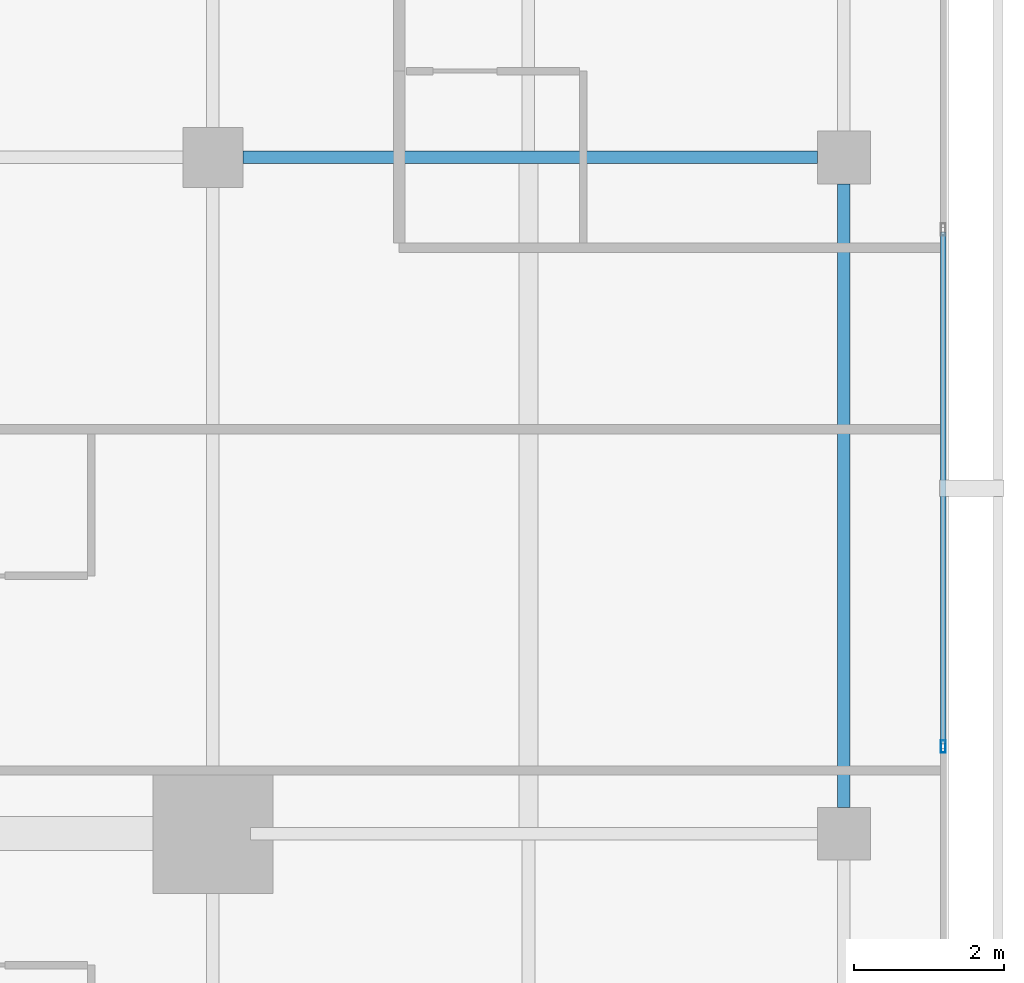
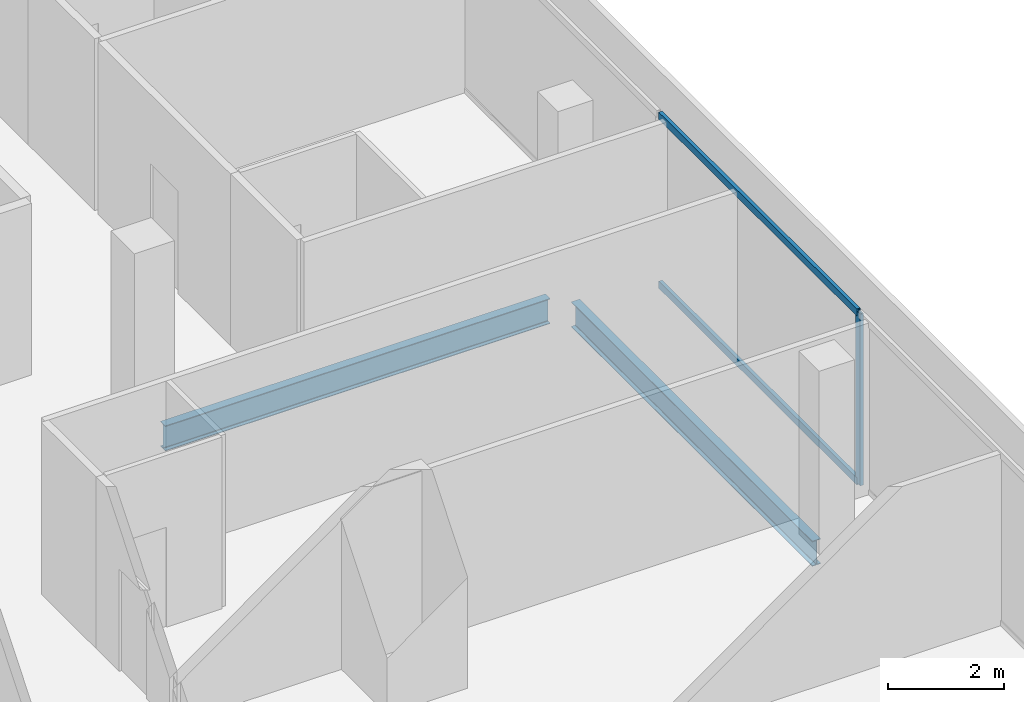
# One storey, part 14 of 25: 3 members, 2 beams, 1 element without a shape of its own.
"""IFC4 building model written with IfcOpenShell, lengths in metres."""

from ifc_helpers import new_model, si_unit, direction, frame, origin, origin_2d, place, context, subcontext, project, spatial, hollow_rectangle, i_section, extrude, material, layer, layer_set, material_profile, profile_set, type_object, element, aggregate, save


model = new_model("IFC4")

# Units and contexts
model_context = context("Model", 3, precision=1e-05, world=origin(), true_north=direction((0.0, 1.0)))
body_context = subcontext(model_context, "Body", "Model", "MODEL_VIEW")
ifc_project = project(units=[si_unit("LENGTHUNIT", "METRE"), si_unit("AREAUNIT", "SQUARE_METRE"), si_unit("VOLUMEUNIT", "CUBIC_METRE"), si_unit("PLANEANGLEUNIT", "RADIAN"), si_unit("MASSUNIT", "GRAM", prefix="KILO")], contexts=[model_context])

# Site, building, storey
site_placement = place(None, origin())
site = spatial("IfcSite", under=ifc_project, at=site_placement, CompositionType="ELEMENT")
building_placement = place(site_placement, origin())
building = spatial("IfcBuilding", under=site, at=building_placement, Name="Maruvema Waterfront Hotel and Observation Tower", CompositionType="ELEMENT")
storey_placement = place(building_placement, frame((0.0, 0.0, 304.85009765625)))
storey = spatial("IfcBuildingStorey", under=building, at=storey_placement, Name="L75", CompositionType="ELEMENT", Elevation=304.85009765625)

# Curtain wall, members
ifc_material_1 = material(Name="Anodised bronze aluminium and solar-control low-E IGU", Category="aluminium")
ifc_layer = layer(ifc_material_1, 0.159912109375, Name="Zone 3 Champagne Inner Thermal Curtain Wall System CW-04")
ifc_layer_set = layer_set([ifc_layer], Name="Anodised bronze aluminium and solar-control low-E IGU")
curtain_wall_type = type_object("IfcCurtainWallType", Name="Zone 3 Champagne Inner Thermal Curtain Wall System CW-04", PredefinedType="USERDEFINED", material=ifc_layer_set)
curtain_wall_placement = place(storey_placement, origin())
curtain_wall = element("IfcCurtainWall", 1, at=curtain_wall_placement, inside=storey, type_object=curtain_wall_type, Name="L75 Curtain Wall CW-L75-E", ObjectType="UNITISED CURTAIN WALL", PredefinedType="USERDEFINED")
ifc_material_2 = material(Name="Anodised architectural bronze aluminium", Category="aluminium")
ifc_material_profile_1 = material_profile(ifc_material_2, hollow_rectangle(XDim=0.070068359375, YDim=0.14990234375, WallThickness=0.00390625, at=origin_2d()), Name="ALU-T70x150")
ifc_profile_set_1 = profile_set([ifc_material_profile_1], Name="Anodised architectural bronze aluminium")
member_type_1 = type_object("IfcMemberType", Name="Curtain Wall Horizontal Transom ALU-T70x150", PredefinedType="USERDEFINED", material=ifc_profile_set_1)
member_1_placement = place(storey_placement, frame((60.1201171875, 28.18994140625, 0.02978515625), z_axis=(0.0, 1.0, 0.0), x_axis=(-1.0, 0.0, 0.0)))
member_1 = element("IfcMember", 2, at=member_1_placement, type_object=member_type_1, Name="CW-04 transom 3.1", ObjectType="TRANSOM", PredefinedType="USERDEFINED", context=body_context, shape_type="SweptSolid", body=[
    extrude(hollow_rectangle(XDim=0.070068359375, YDim=0.14990234375, WallThickness=0.00390625, at=origin_2d()), origin(), (0.0, 0.0, 1.0), 6.820068359375),
])
member_2_placement = place(storey_placement, frame((60.1201171875, 28.18994140625, 3.579833984375), z_axis=(0.0, 1.0, 0.0), x_axis=(-1.0, 0.0, 0.0)))
member_2 = element("IfcMember", 3, at=member_2_placement, type_object=member_type_1, Name="CW-04 transom 3.2", ObjectType="TRANSOM", PredefinedType="USERDEFINED", context=body_context, shape_type="SweptSolid", body=[
    extrude(hollow_rectangle(XDim=0.070068359375, YDim=0.14990234375, WallThickness=0.00390625, at=origin_2d()), origin(), (0.0, 0.0, 1.0), 6.820068359375),
])
ifc_material_3 = material(Name="Anodised architectural bronze aluminium", Category="aluminium")
ifc_material_profile_2 = material_profile(ifc_material_3, hollow_rectangle(XDim=0.06494140625, YDim=0.1650390625, WallThickness=0.00390625, at=origin_2d()), Name="ALU-M65x165")
ifc_profile_set_2 = profile_set([ifc_material_profile_2], Name="Anodised architectural bronze aluminium")
member_type_2 = type_object("IfcMemberType", Name="Curtain Wall Primary Mullion ALU-M65x165", PredefinedType="MULLION", material=ifc_profile_set_2)
member_3_placement = place(storey_placement, frame((60.1201171875, 28.159912109375, 0.0), z_axis=(0.0, 0.0, 1.0), x_axis=(-1.0, 0.0, 0.0)))
member_3 = element("IfcMember", 4, at=member_3_placement, type_object=member_type_2, Name="CW-04 mullion 3", PredefinedType="MULLION", context=body_context, shape_type="SweptSolid", body=[
    extrude(hollow_rectangle(XDim=0.06494140625, YDim=0.1650390625, WallThickness=0.00390625, at=origin_2d()), origin(), (0.0, 0.0, 1.0), 3.60986328125),
])
aggregate(curtain_wall, [member_3, member_1, member_2])

# Beams
ifc_material_4 = material(Name="Steel ASTM A572 Grade 50", Category="steel")
ifc_material_profile_3 = material_profile(ifc_material_4, i_section(OverallWidth=0.166015625, OverallDepth=0.529052734375, WebThickness=0.009765625, FlangeThickness=0.013671875, FilletRadius=0.014892578125, at=origin_2d()), Name="W530x74.0")
ifc_profile_set_3 = profile_set([ifc_material_profile_3], Name="Steel ASTM A572 Grade 50")
beam_type = type_object("IfcBeamType", Name="Primary Floor Girder W530x74.0", PredefinedType="BEAM", material=ifc_profile_set_3)
beam_1_placement = place(storey_placement, frame((50.800048828125, 36.0, -0.504638671875), z_axis=(1.0, 0.0, 0.0), x_axis=(0.0, 1.0, 0.0)))
element("IfcBeam", 5, at=beam_1_placement, inside=storey, type_object=beam_type, Name="L75 Floor Girder EW-16", PredefinedType="BEAM", context=body_context, shape_type="SweptSolid", body=[
    extrude(i_section(OverallWidth=0.166015625, OverallDepth=0.529052734375, WebThickness=0.009765625, FlangeThickness=0.013671875, FilletRadius=0.014892578125, at=origin_2d()), origin(), (0.0, 0.0, 1.0), 7.64990234375),
])
beam_2_placement = place(storey_placement, frame((58.800048828125, 27.35009765625, -0.504638671875), z_axis=(0.0, 1.0, 0.0), x_axis=(-1.0, 0.0, 0.0)))
element("IfcBeam", 6, at=beam_2_placement, inside=storey, type_object=beam_type, Name="L75 Floor Girder NS-17", PredefinedType="BEAM", context=body_context, shape_type="SweptSolid", body=[
    extrude(i_section(OverallWidth=0.166015625, OverallDepth=0.529052734375, WebThickness=0.009765625, FlangeThickness=0.013671875, FilletRadius=0.014892578125, at=origin_2d()), origin(), (0.0, 0.0, 1.0), 8.2998046875),
])

save(model, "model.ifc")
